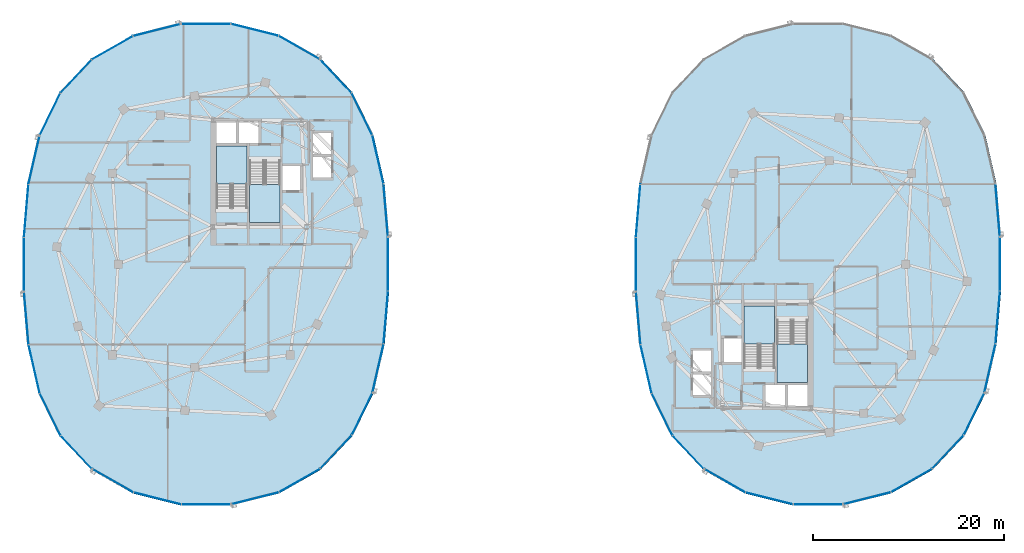
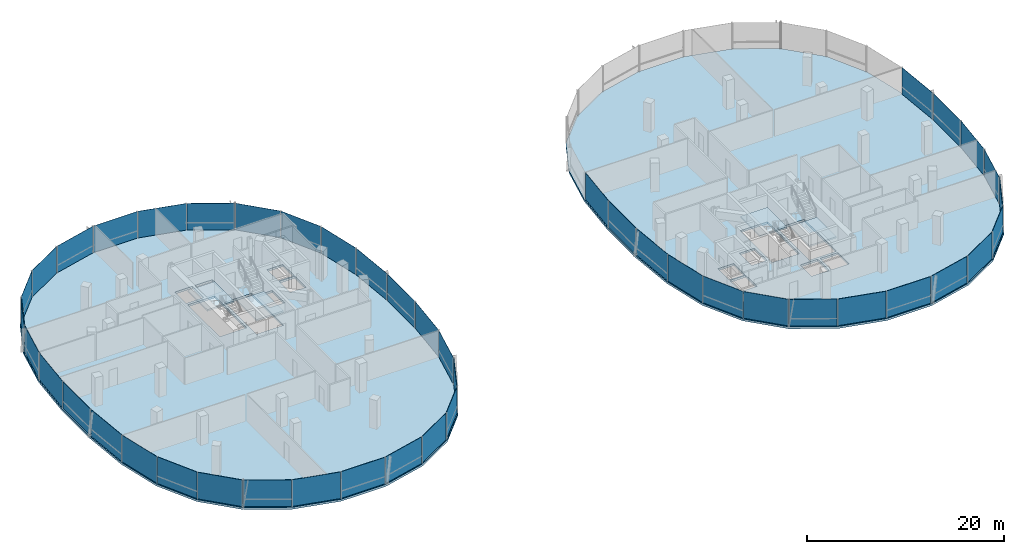
# One storey, part 13 of 25: 45 plates, 6 slabs, 12 elements without a shape of their own.
"""IFC4 building model written with IfcOpenShell, lengths in metres."""

from ifc_helpers import new_model, si_unit, direction, frame, origin, origin_2d, place, context, subcontext, project, spatial, polyline, rectangle, outline, extrude, material, layer, layer_set, type_object, element, aggregate, save


model = new_model("IFC4")

# Units and contexts
model_context = context("Model", 3, precision=1e-05, world=origin(), true_north=direction((0.0, 1.0)))
body_context = subcontext(model_context, "Body", "Model", "MODEL_VIEW")
ifc_project = project(units=[si_unit("LENGTHUNIT", "METRE"), si_unit("AREAUNIT", "SQUARE_METRE"), si_unit("VOLUMEUNIT", "CUBIC_METRE"), si_unit("PLANEANGLEUNIT", "RADIAN"), si_unit("MASSUNIT", "GRAM", prefix="KILO"), si_unit("THERMODYNAMICTEMPERATUREUNIT", "KELVIN"), si_unit("POWERUNIT", "WATT")], contexts=[model_context])

# Site, building, storey
site_placement = place(None, origin())
site = spatial("IfcSite", under=ifc_project, at=site_placement, CompositionType="ELEMENT")
building_placement = place(site_placement, origin())
building = spatial("IfcBuilding", under=site, at=building_placement, Name="Cundina Bronze Exchange", CompositionType="ELEMENT")
storey_placement = place(building_placement, frame((0.0, 0.0, 206.199951171875)))
storey = spatial("IfcBuildingStorey", under=building, at=storey_placement, Name="L54", CompositionType="ELEMENT", Elevation=206.199951171875)

# Curtain wall, plates
ifc_material_1 = material(Name="Anodised Bronze Aluminium 6063-T6", Category="aluminium")
curtain_wall_type = type_object("IfcCurtainWallType", Name="CWS-UPP-OFF", PredefinedType="NOTDEFINED", material=ifc_material_1)
curtain_wall_1_placement = place(storey_placement, origin())
curtain_wall_1 = element("IfcCurtainWall", 1, at=curtain_wall_1_placement, inside=storey, type_object=curtain_wall_type, Name="L54 CW-05 Curtain Wall Run CWR-L54-W1", PredefinedType="NOTDEFINED")
ifc_material_2 = material(Name="Heat-Strengthened Solar-Control Bronze Safety Glass 28mm", Category="glass")
ifc_layer_1 = layer(ifc_material_2, 0.028076171875, Name="Heat-Strengthened Solar-Control Bronze Safety Glass 28mm", Category="glass")
ifc_layer_set_1 = layer_set([ifc_layer_1], Name="Heat-Strengthened Solar-Control Bronze Safety Glass 28mm")
plate_type_1 = type_object("IfcPlateType", Name="PLT-GLZ-VIS28", PredefinedType="CURTAIN_PANEL", material=ifc_layer_set_1)
plate_1_placement = place(storey_placement, frame((-14.01611328125, 10.92578125, 0.02001953125), z_axis=(0.0, 0.0, 1.0), x_axis=(-0.223284141459, 0.974753400698, 0.0)))
plate_1 = element("IfcPlate", 2, at=plate_1_placement, type_object=plate_type_1, Name="CW-05 Glazed Panel 2", PredefinedType="CURTAIN_PANEL", context=body_context, shape_type="SweptSolid", body=[
    extrude(rectangle(XDim=5.167724609375, YDim=0.028076171875, at=origin_2d()), origin(), (0.0, 0.0, 1.0), 3.300048828125),
])
plate_2_placement = place(storey_placement, frame((-15.685302734375, 15.686767578125, 0.02001953125), z_axis=(0.0, 0.0, 1.0), x_axis=(-0.440503330345, 0.897750976582, 0.0)))
plate_2 = element("IfcPlate", 3, at=plate_2_placement, type_object=plate_type_1, Name="CW-05 Glazed Panel 3", PredefinedType="CURTAIN_PANEL", context=body_context, shape_type="SweptSolid", body=[
    extrude(rectangle(XDim=4.863525390625, YDim=0.028076171875, at=origin_2d()), origin(), (0.0, 0.0, 1.0), 3.300048828125),
])
plate_3_placement = place(storey_placement, frame((-18.4208984375, 19.6552734375, 0.02001953125), z_axis=(0.0, 0.0, 1.0), x_axis=(-0.684343512797, 0.72915976061, 0.0)))
plate_3 = element("IfcPlate", 4, at=plate_3_placement, type_object=plate_type_1, Name="CW-05 Glazed Panel 4", PredefinedType="CURTAIN_PANEL", context=body_context, shape_type="SweptSolid", body=[
    extrude(rectangle(XDim=4.773193359375, YDim=0.028076171875, at=origin_2d()), origin(), (0.0, 0.0, 1.0), 3.300048828125),
])
plate_4_placement = place(storey_placement, frame((-22.230712890625, 22.64111328125, 0.02001953125), z_axis=(0.0, 0.0, 1.0), x_axis=(-0.869572506985, 0.493805280547, 0.0)))
plate_4 = element("IfcPlate", 5, at=plate_4_placement, type_object=plate_type_1, Name="CW-05 Glazed Panel 5", PredefinedType="CURTAIN_PANEL", context=body_context, shape_type="SweptSolid", body=[
    extrude(rectangle(XDim=4.907958984375, YDim=0.028076171875, at=origin_2d()), origin(), (0.0, 0.0, 1.0), 3.300048828125),
])
plate_5_placement = place(storey_placement, frame((-32.0, 25.125, 0.02001953125), z_axis=(0.0, 0.0, 1.0), x_axis=(-1.0, 0.0, 0.0)))
plate_5 = element("IfcPlate", 6, at=plate_5_placement, type_object=plate_type_1, Name="CW-05 Glazed Panel 7", PredefinedType="CURTAIN_PANEL", context=body_context, shape_type="SweptSolid", body=[
    extrude(rectangle(XDim=5.16796875, YDim=0.028076171875, at=origin_2d()), origin(), (0.0, 0.0, 1.0), 3.300048828125),
])

curtain_wall_2_placement = place(storey_placement, origin())
curtain_wall_2 = element("IfcCurtainWall", 7, at=curtain_wall_2_placement, inside=storey, type_object=curtain_wall_type, Name="L54 CW-05 Curtain Wall Run CWR-L54-W2", PredefinedType="NOTDEFINED")
plate_6_placement = place(storey_placement, frame((-37.11279296875, 24.49609375, 0.02001953125), z_axis=(0.0, 0.0, 1.0), x_axis=(-0.969731542251, -0.244173577528, 0.0)))
plate_6 = element("IfcPlate", 8, at=plate_6_placement, type_object=plate_type_1, Name="CW-05 Glazed Panel 1", PredefinedType="CURTAIN_PANEL", context=body_context, shape_type="SweptSolid", body=[
    extrude(rectangle(XDim=5.0908203125, YDim=0.028076171875, at=origin_2d()), origin(), (0.0, 0.0, 1.0), 3.300048828125),
])
plate_7_placement = place(storey_placement, frame((-41.769287109375, 22.64111328125, 0.02001953125), z_axis=(0.0, 0.0, 1.0), x_axis=(-0.869572506985, -0.493805280547, 0.0)))
plate_7 = element("IfcPlate", 9, at=plate_7_placement, type_object=plate_type_1, Name="CW-05 Glazed Panel 2", PredefinedType="CURTAIN_PANEL", context=body_context, shape_type="SweptSolid", body=[
    extrude(rectangle(XDim=4.907958984375, YDim=0.028076171875, at=origin_2d()), origin(), (0.0, 0.0, 1.0), 3.300048828125),
])
plate_8_placement = place(storey_placement, frame((-45.5791015625, 19.6552734375, 0.02001953125), z_axis=(0.0, 0.0, 1.0), x_axis=(-0.684343512797, -0.72915976061, 0.0)))
plate_8 = element("IfcPlate", 10, at=plate_8_placement, type_object=plate_type_1, Name="CW-05 Glazed Panel 3", PredefinedType="CURTAIN_PANEL", context=body_context, shape_type="SweptSolid", body=[
    extrude(rectangle(XDim=4.773193359375, YDim=0.028076171875, at=origin_2d()), origin(), (0.0, 0.0, 1.0), 3.300048828125),
])
plate_9_placement = place(storey_placement, frame((-48.314697265625, 15.686767578125, 0.02001953125), z_axis=(0.0, 0.0, 1.0), x_axis=(-0.440503330345, -0.897750976582, 0.0)))
plate_9 = element("IfcPlate", 11, at=plate_9_placement, type_object=plate_type_1, Name="CW-05 Glazed Panel 4", PredefinedType="CURTAIN_PANEL", context=body_context, shape_type="SweptSolid", body=[
    extrude(rectangle(XDim=4.863525390625, YDim=0.028076171875, at=origin_2d()), origin(), (0.0, 0.0, 1.0), 3.300048828125),
])
plate_10_placement = place(storey_placement, frame((-50.801513671875, 5.60693359375, 0.02001953125), z_axis=(0.0, 0.0, 1.0), x_axis=(-0.083747411454, -0.996487015006, 0.0)))
plate_10 = element("IfcPlate", 12, at=plate_10_placement, type_object=plate_type_1, Name="CW-05 Glazed Panel 6", PredefinedType="CURTAIN_PANEL", context=body_context, shape_type="SweptSolid", body=[
    extrude(rectangle(XDim=5.474609375, YDim=0.028076171875, at=origin_2d()), origin(), (0.0, 0.0, 1.0), 3.300048828125),
])
plate_11_placement = place(storey_placement, frame((-51.033935546875, 0.0, 0.02001953125), z_axis=(0.0, 0.0, 1.0), x_axis=(0.0, -1.0, 0.0)))
plate_11 = element("IfcPlate", 13, at=plate_11_placement, type_object=plate_type_1, Name="CW-05 Glazed Panel 7", PredefinedType="CURTAIN_PANEL", context=body_context, shape_type="SweptSolid", body=[
    extrude(rectangle(XDim=5.597900390625, YDim=0.028076171875, at=origin_2d()), origin(), (0.0, 0.0, 1.0), 3.300048828125),
])

curtain_wall_3_placement = place(storey_placement, origin())
curtain_wall_3 = element("IfcCurtainWall", 14, at=curtain_wall_3_placement, inside=storey, type_object=curtain_wall_type, Name="L54 CW-05 Curtain Wall Run CWR-L54-W3", PredefinedType="NOTDEFINED")
plate_12_placement = place(storey_placement, frame((-50.801513671875, -5.60693359375, 0.02001953125), z_axis=(0.0, 0.0, 1.0), x_axis=(0.083747411454, -0.996487015006, 0.0)))
plate_12 = element("IfcPlate", 15, at=plate_12_placement, type_object=plate_type_1, Name="CW-05 Glazed Panel 1", PredefinedType="CURTAIN_PANEL", context=body_context, shape_type="SweptSolid", body=[
    extrude(rectangle(XDim=5.474609375, YDim=0.028076171875, at=origin_2d()), origin(), (0.0, 0.0, 1.0), 3.300048828125),
])
plate_13_placement = place(storey_placement, frame((-49.98388671875, -10.92578125, 0.02001953125), z_axis=(0.0, 0.0, 1.0), x_axis=(0.223284141459, -0.974753400698, 0.0)))
plate_13 = element("IfcPlate", 16, at=plate_13_placement, type_object=plate_type_1, Name="CW-05 Glazed Panel 2", PredefinedType="CURTAIN_PANEL", context=body_context, shape_type="SweptSolid", body=[
    extrude(rectangle(XDim=5.167724609375, YDim=0.028076171875, at=origin_2d()), origin(), (0.0, 0.0, 1.0), 3.300048828125),
])
plate_14_placement = place(storey_placement, frame((-48.314697265625, -15.686767578125, 0.02001953125), z_axis=(0.0, 0.0, 1.0), x_axis=(0.440503330345, -0.897750976582, 0.0)))
plate_14 = element("IfcPlate", 17, at=plate_14_placement, type_object=plate_type_1, Name="CW-05 Glazed Panel 3", PredefinedType="CURTAIN_PANEL", context=body_context, shape_type="SweptSolid", body=[
    extrude(rectangle(XDim=4.863525390625, YDim=0.028076171875, at=origin_2d()), origin(), (0.0, 0.0, 1.0), 3.300048828125),
])
plate_15_placement = place(storey_placement, frame((-41.769287109375, -22.64111328125, 0.02001953125), z_axis=(0.0, 0.0, 1.0), x_axis=(0.869572506985, -0.493805280547, 0.0)))
plate_15 = element("IfcPlate", 18, at=plate_15_placement, type_object=plate_type_1, Name="CW-05 Glazed Panel 5", PredefinedType="CURTAIN_PANEL", context=body_context, shape_type="SweptSolid", body=[
    extrude(rectangle(XDim=4.907958984375, YDim=0.028076171875, at=origin_2d()), origin(), (0.0, 0.0, 1.0), 3.300048828125),
])
plate_16_placement = place(storey_placement, frame((-37.11279296875, -24.49609375, 0.02001953125), z_axis=(0.0, 0.0, 1.0), x_axis=(0.969731542251, -0.244173577528, 0.0)))
plate_16 = element("IfcPlate", 19, at=plate_16_placement, type_object=plate_type_1, Name="CW-05 Glazed Panel 6", PredefinedType="CURTAIN_PANEL", context=body_context, shape_type="SweptSolid", body=[
    extrude(rectangle(XDim=5.0908203125, YDim=0.028076171875, at=origin_2d()), origin(), (0.0, 0.0, 1.0), 3.300048828125),
])
plate_17_placement = place(storey_placement, frame((-32.0, -25.125, 0.02001953125), z_axis=(0.0, 0.0, 1.0), x_axis=(1.0, 0.0, 0.0)))
plate_17 = element("IfcPlate", 20, at=plate_17_placement, type_object=plate_type_1, Name="CW-05 Glazed Panel 7", PredefinedType="CURTAIN_PANEL", context=body_context, shape_type="SweptSolid", body=[
    extrude(rectangle(XDim=5.16796875, YDim=0.028076171875, at=origin_2d()), origin(), (0.0, 0.0, 1.0), 3.300048828125),
])

curtain_wall_4_placement = place(storey_placement, origin())
curtain_wall_4 = element("IfcCurtainWall", 21, at=curtain_wall_4_placement, inside=storey, type_object=curtain_wall_type, Name="L54 CW-05 Curtain Wall Run CWR-L54-W4", PredefinedType="NOTDEFINED")
plate_18_placement = place(storey_placement, frame((-26.88720703125, -24.49609375, 0.02001953125), z_axis=(0.0, 0.0, 1.0), x_axis=(0.969731542251, 0.244173577528, 0.0)))
plate_18 = element("IfcPlate", 22, at=plate_18_placement, type_object=plate_type_1, Name="CW-05 Glazed Panel 1", PredefinedType="CURTAIN_PANEL", context=body_context, shape_type="SweptSolid", body=[
    extrude(rectangle(XDim=5.0908203125, YDim=0.028076171875, at=origin_2d()), origin(), (0.0, 0.0, 1.0), 3.300048828125),
])
plate_19_placement = place(storey_placement, frame((-22.230712890625, -22.64111328125, 0.02001953125), z_axis=(0.0, 0.0, 1.0), x_axis=(0.869572506985, 0.493805280547, 0.0)))
plate_19 = element("IfcPlate", 23, at=plate_19_placement, type_object=plate_type_1, Name="CW-05 Glazed Panel 2", PredefinedType="CURTAIN_PANEL", context=body_context, shape_type="SweptSolid", body=[
    extrude(rectangle(XDim=4.907958984375, YDim=0.028076171875, at=origin_2d()), origin(), (0.0, 0.0, 1.0), 3.300048828125),
])
plate_20_placement = place(storey_placement, frame((-15.685302734375, -15.686767578125, 0.02001953125), z_axis=(0.0, 0.0, 1.0), x_axis=(0.440503330345, 0.897750976582, 0.0)))
plate_20 = element("IfcPlate", 24, at=plate_20_placement, type_object=plate_type_1, Name="CW-05 Glazed Panel 4", PredefinedType="CURTAIN_PANEL", context=body_context, shape_type="SweptSolid", body=[
    extrude(rectangle(XDim=4.863525390625, YDim=0.028076171875, at=origin_2d()), origin(), (0.0, 0.0, 1.0), 3.300048828125),
])
plate_21_placement = place(storey_placement, frame((-14.01611328125, -10.92578125, 0.02001953125), z_axis=(0.0, 0.0, 1.0), x_axis=(0.223284141459, 0.974753400698, 0.0)))
plate_21 = element("IfcPlate", 25, at=plate_21_placement, type_object=plate_type_1, Name="CW-05 Glazed Panel 5", PredefinedType="CURTAIN_PANEL", context=body_context, shape_type="SweptSolid", body=[
    extrude(rectangle(XDim=5.167724609375, YDim=0.028076171875, at=origin_2d()), origin(), (0.0, 0.0, 1.0), 3.300048828125),
])
plate_22_placement = place(storey_placement, frame((-13.198486328125, -5.60693359375, 0.02001953125), z_axis=(0.0, 0.0, 1.0), x_axis=(0.083747411454, 0.996487015006, 0.0)))
plate_22 = element("IfcPlate", 26, at=plate_22_placement, type_object=plate_type_1, Name="CW-05 Glazed Panel 6", PredefinedType="CURTAIN_PANEL", context=body_context, shape_type="SweptSolid", body=[
    extrude(rectangle(XDim=5.474609375, YDim=0.028076171875, at=origin_2d()), origin(), (0.0, 0.0, 1.0), 3.300048828125),
])
plate_23_placement = place(storey_placement, frame((-12.966064453125, 0.0, 0.02001953125), z_axis=(0.0, 0.0, 1.0), x_axis=(0.0, 1.0, 0.0)))
plate_23 = element("IfcPlate", 27, at=plate_23_placement, type_object=plate_type_1, Name="CW-05 Glazed Panel 7", PredefinedType="CURTAIN_PANEL", context=body_context, shape_type="SweptSolid", body=[
    extrude(rectangle(XDim=5.597900390625, YDim=0.028076171875, at=origin_2d()), origin(), (0.0, 0.0, 1.0), 3.300048828125),
])

curtain_wall_5_placement = place(storey_placement, origin())
curtain_wall_5 = element("IfcCurtainWall", 28, at=curtain_wall_5_placement, inside=storey, type_object=curtain_wall_type, Name="L54 CW-05 Curtain Wall Run CWR-L54-E2", PredefinedType="NOTDEFINED")
plate_24_placement = place(storey_placement, frame((13.198486328125, 5.60693359375, 0.02001953125), z_axis=(0.0, 0.0, 1.0), x_axis=(-0.083747411454, -0.996487015006, 0.0)))
plate_24 = element("IfcPlate", 29, at=plate_24_placement, type_object=plate_type_1, Name="CW-05 Glazed Panel 6", PredefinedType="CURTAIN_PANEL", context=body_context, shape_type="SweptSolid", body=[
    extrude(rectangle(XDim=5.474609375, YDim=0.028076171875, at=origin_2d()), origin(), (0.0, 0.0, 1.0), 3.300048828125),
])
plate_25_placement = place(storey_placement, frame((12.966064453125, 0.0, 0.02001953125), z_axis=(0.0, 0.0, 1.0), x_axis=(0.0, -1.0, 0.0)))
plate_25 = element("IfcPlate", 30, at=plate_25_placement, type_object=plate_type_1, Name="CW-05 Glazed Panel 7", PredefinedType="CURTAIN_PANEL", context=body_context, shape_type="SweptSolid", body=[
    extrude(rectangle(XDim=5.597900390625, YDim=0.028076171875, at=origin_2d()), origin(), (0.0, 0.0, 1.0), 3.300048828125),
])
aggregate(curtain_wall_5, [plate_24, plate_25])

curtain_wall_6_placement = place(storey_placement, origin())
curtain_wall_6 = element("IfcCurtainWall", 31, at=curtain_wall_6_placement, inside=storey, type_object=curtain_wall_type, Name="L54 CW-05 Curtain Wall Run CWR-L54-E3", PredefinedType="NOTDEFINED")
plate_26_placement = place(storey_placement, frame((13.198486328125, -5.60693359375, 0.02001953125), z_axis=(0.0, 0.0, 1.0), x_axis=(0.083747411454, -0.996487015006, 0.0)))
plate_26 = element("IfcPlate", 32, at=plate_26_placement, type_object=plate_type_1, Name="CW-05 Glazed Panel 1", PredefinedType="CURTAIN_PANEL", context=body_context, shape_type="SweptSolid", body=[
    extrude(rectangle(XDim=5.474609375, YDim=0.028076171875, at=origin_2d()), origin(), (0.0, 0.0, 1.0), 3.300048828125),
])
plate_27_placement = place(storey_placement, frame((14.01611328125, -10.92578125, 0.02001953125), z_axis=(0.0, 0.0, 1.0), x_axis=(0.223284141459, -0.974753400698, 0.0)))
plate_27 = element("IfcPlate", 33, at=plate_27_placement, type_object=plate_type_1, Name="CW-05 Glazed Panel 2", PredefinedType="CURTAIN_PANEL", context=body_context, shape_type="SweptSolid", body=[
    extrude(rectangle(XDim=5.167724609375, YDim=0.028076171875, at=origin_2d()), origin(), (0.0, 0.0, 1.0), 3.300048828125),
])
plate_28_placement = place(storey_placement, frame((15.685302734375, -15.686767578125, 0.02001953125), z_axis=(0.0, 0.0, 1.0), x_axis=(0.440503330345, -0.897750976582, 0.0)))
plate_28 = element("IfcPlate", 34, at=plate_28_placement, type_object=plate_type_1, Name="CW-05 Glazed Panel 3", PredefinedType="CURTAIN_PANEL", context=body_context, shape_type="SweptSolid", body=[
    extrude(rectangle(XDim=4.863525390625, YDim=0.028076171875, at=origin_2d()), origin(), (0.0, 0.0, 1.0), 3.300048828125),
])
plate_29_placement = place(storey_placement, frame((22.230712890625, -22.64111328125, 0.02001953125), z_axis=(0.0, 0.0, 1.0), x_axis=(0.869572506985, -0.493805280547, 0.0)))
plate_29 = element("IfcPlate", 35, at=plate_29_placement, type_object=plate_type_1, Name="CW-05 Glazed Panel 5", PredefinedType="CURTAIN_PANEL", context=body_context, shape_type="SweptSolid", body=[
    extrude(rectangle(XDim=4.907958984375, YDim=0.028076171875, at=origin_2d()), origin(), (0.0, 0.0, 1.0), 3.300048828125),
])
plate_30_placement = place(storey_placement, frame((26.88720703125, -24.49609375, 0.02001953125), z_axis=(0.0, 0.0, 1.0), x_axis=(0.969731542251, -0.244173577528, 0.0)))
plate_30 = element("IfcPlate", 36, at=plate_30_placement, type_object=plate_type_1, Name="CW-05 Glazed Panel 6", PredefinedType="CURTAIN_PANEL", context=body_context, shape_type="SweptSolid", body=[
    extrude(rectangle(XDim=5.0908203125, YDim=0.028076171875, at=origin_2d()), origin(), (0.0, 0.0, 1.0), 3.300048828125),
])
plate_31_placement = place(storey_placement, frame((32.0, -25.125, 0.02001953125), z_axis=(0.0, 0.0, 1.0), x_axis=(1.0, 0.0, 0.0)))
plate_31 = element("IfcPlate", 37, at=plate_31_placement, type_object=plate_type_1, Name="CW-05 Glazed Panel 7", PredefinedType="CURTAIN_PANEL", context=body_context, shape_type="SweptSolid", body=[
    extrude(rectangle(XDim=5.16796875, YDim=0.028076171875, at=origin_2d()), origin(), (0.0, 0.0, 1.0), 3.300048828125),
])

curtain_wall_7_placement = place(storey_placement, origin())
curtain_wall_7 = element("IfcCurtainWall", 38, at=curtain_wall_7_placement, inside=storey, type_object=curtain_wall_type, Name="L54 CW-05 Curtain Wall Run CWR-L54-E4", PredefinedType="NOTDEFINED")
plate_32_placement = place(storey_placement, frame((37.11279296875, -24.49609375, 0.02001953125), z_axis=(0.0, 0.0, 1.0), x_axis=(0.969731542251, 0.244173577528, 0.0)))
plate_32 = element("IfcPlate", 39, at=plate_32_placement, type_object=plate_type_1, Name="CW-05 Glazed Panel 1", PredefinedType="CURTAIN_PANEL", context=body_context, shape_type="SweptSolid", body=[
    extrude(rectangle(XDim=5.0908203125, YDim=0.028076171875, at=origin_2d()), origin(), (0.0, 0.0, 1.0), 3.300048828125),
])
plate_33_placement = place(storey_placement, frame((41.769287109375, -22.64111328125, 0.02001953125), z_axis=(0.0, 0.0, 1.0), x_axis=(0.869572506985, 0.493805280547, 0.0)))
plate_33 = element("IfcPlate", 40, at=plate_33_placement, type_object=plate_type_1, Name="CW-05 Glazed Panel 2", PredefinedType="CURTAIN_PANEL", context=body_context, shape_type="SweptSolid", body=[
    extrude(rectangle(XDim=4.907958984375, YDim=0.028076171875, at=origin_2d()), origin(), (0.0, 0.0, 1.0), 3.300048828125),
])
plate_34_placement = place(storey_placement, frame((48.314697265625, -15.686767578125, 0.02001953125), z_axis=(0.0, 0.0, 1.0), x_axis=(0.440503330345, 0.897750976582, 0.0)))
plate_34 = element("IfcPlate", 41, at=plate_34_placement, type_object=plate_type_1, Name="CW-05 Glazed Panel 4", PredefinedType="CURTAIN_PANEL", context=body_context, shape_type="SweptSolid", body=[
    extrude(rectangle(XDim=4.863525390625, YDim=0.028076171875, at=origin_2d()), origin(), (0.0, 0.0, 1.0), 3.300048828125),
])
plate_35_placement = place(storey_placement, frame((49.98388671875, -10.92578125, 0.02001953125), z_axis=(0.0, 0.0, 1.0), x_axis=(0.223284141459, 0.974753400698, 0.0)))
plate_35 = element("IfcPlate", 42, at=plate_35_placement, type_object=plate_type_1, Name="CW-05 Glazed Panel 5", PredefinedType="CURTAIN_PANEL", context=body_context, shape_type="SweptSolid", body=[
    extrude(rectangle(XDim=5.167724609375, YDim=0.028076171875, at=origin_2d()), origin(), (0.0, 0.0, 1.0), 3.300048828125),
])
plate_36_placement = place(storey_placement, frame((50.801513671875, -5.60693359375, 0.02001953125), z_axis=(0.0, 0.0, 1.0), x_axis=(0.083747411454, 0.996487015006, 0.0)))
plate_36 = element("IfcPlate", 43, at=plate_36_placement, type_object=plate_type_1, Name="CW-05 Glazed Panel 6", PredefinedType="CURTAIN_PANEL", context=body_context, shape_type="SweptSolid", body=[
    extrude(rectangle(XDim=5.474609375, YDim=0.028076171875, at=origin_2d()), origin(), (0.0, 0.0, 1.0), 3.300048828125),
])
plate_37_placement = place(storey_placement, frame((51.033935546875, 0.0, 0.02001953125), z_axis=(0.0, 0.0, 1.0), x_axis=(0.0, 1.0, 0.0)))
plate_37 = element("IfcPlate", 44, at=plate_37_placement, type_object=plate_type_1, Name="CW-05 Glazed Panel 7", PredefinedType="CURTAIN_PANEL", context=body_context, shape_type="SweptSolid", body=[
    extrude(rectangle(XDim=5.597900390625, YDim=0.028076171875, at=origin_2d()), origin(), (0.0, 0.0, 1.0), 3.300048828125),
])

# Plate
ifc_material_3 = material(Name="Dark Bronze Spandrel Glass Panel 32mm", Category="glass")
ifc_layer_2 = layer(ifc_material_3, 0.031982421875, Name="Dark Bronze Spandrel Glass Panel 32mm", Category="glass")
ifc_layer_set_2 = layer_set([ifc_layer_2], Name="Dark Bronze Spandrel Glass Panel 32mm")
plate_type_2 = type_object("IfcPlateType", Name="PLT-SPN-BRZ32", PredefinedType="CURTAIN_PANEL", material=ifc_layer_set_2)
plate_38_placement = place(storey_placement, frame((-13.198486328125, 5.60693359375, 0.02001953125), z_axis=(0.0, 0.0, 1.0), x_axis=(-0.083747411454, 0.996487015006, 0.0)))
plate_38 = element("IfcPlate", 45, at=plate_38_placement, type_object=plate_type_2, Name="CW-05 Glazed Panel 1", PredefinedType="CURTAIN_PANEL", context=body_context, shape_type="SweptSolid", body=[
    extrude(rectangle(XDim=5.474609375, YDim=0.031982421875, at=origin_2d()), origin(), (0.0, 0.0, 1.0), 3.300048828125),
])

plate_39_placement = place(storey_placement, frame((-26.88720703125, 24.49609375, 0.02001953125), z_axis=(0.0, 0.0, 1.0), x_axis=(-0.969731542251, 0.244173577528, 0.0)))
plate_39 = element("IfcPlate", 46, at=plate_39_placement, type_object=plate_type_2, Name="CW-05 Glazed Panel 6", PredefinedType="CURTAIN_PANEL", context=body_context, shape_type="SweptSolid", body=[
    extrude(rectangle(XDim=5.0908203125, YDim=0.031982421875, at=origin_2d()), origin(), (0.0, 0.0, 1.0), 3.300048828125),
])

aggregate(curtain_wall_1, [plate_38, plate_1, plate_2, plate_3, plate_4, plate_39, plate_5])

plate_40_placement = place(storey_placement, frame((-49.98388671875, 10.92578125, 0.02001953125), z_axis=(0.0, 0.0, 1.0), x_axis=(-0.223284141459, -0.974753400698, 0.0)))
plate_40 = element("IfcPlate", 47, at=plate_40_placement, type_object=plate_type_2, Name="CW-05 Glazed Panel 5", PredefinedType="CURTAIN_PANEL", context=body_context, shape_type="SweptSolid", body=[
    extrude(rectangle(XDim=5.167724609375, YDim=0.031982421875, at=origin_2d()), origin(), (0.0, 0.0, 1.0), 3.300048828125),
])

aggregate(curtain_wall_2, [plate_6, plate_7, plate_8, plate_9, plate_40, plate_10, plate_11])

plate_41_placement = place(storey_placement, frame((-45.5791015625, -19.6552734375, 0.02001953125), z_axis=(0.0, 0.0, 1.0), x_axis=(0.684343512797, -0.72915976061, 0.0)))
plate_41 = element("IfcPlate", 48, at=plate_41_placement, type_object=plate_type_2, Name="CW-05 Glazed Panel 4", PredefinedType="CURTAIN_PANEL", context=body_context, shape_type="SweptSolid", body=[
    extrude(rectangle(XDim=4.773193359375, YDim=0.031982421875, at=origin_2d()), origin(), (0.0, 0.0, 1.0), 3.300048828125),
])

aggregate(curtain_wall_3, [plate_12, plate_13, plate_14, plate_41, plate_15, plate_16, plate_17])

plate_42_placement = place(storey_placement, frame((-18.4208984375, -19.6552734375, 0.02001953125), z_axis=(0.0, 0.0, 1.0), x_axis=(0.684343512797, 0.72915976061, 0.0)))
plate_42 = element("IfcPlate", 49, at=plate_42_placement, type_object=plate_type_2, Name="CW-05 Glazed Panel 3", PredefinedType="CURTAIN_PANEL", context=body_context, shape_type="SweptSolid", body=[
    extrude(rectangle(XDim=4.773193359375, YDim=0.031982421875, at=origin_2d()), origin(), (0.0, 0.0, 1.0), 3.300048828125),
])

aggregate(curtain_wall_4, [plate_18, plate_19, plate_42, plate_20, plate_21, plate_22, plate_23])

# Curtain wall, plate
curtain_wall_8_placement = place(storey_placement, origin())
curtain_wall_8 = element("IfcCurtainWall", 50, at=curtain_wall_8_placement, inside=storey, type_object=curtain_wall_type, Name="L54 CW-05 Curtain Wall Run CWR-L54-E1", PredefinedType="NOTDEFINED")
plate_43_placement = place(storey_placement, frame((50.801513671875, 5.60693359375, 0.02001953125), z_axis=(0.0, 0.0, 1.0), x_axis=(-0.083747411454, 0.996487015006, 0.0)))
plate_43 = element("IfcPlate", 51, at=plate_43_placement, type_object=plate_type_2, Name="CW-05 Glazed Panel 1", PredefinedType="CURTAIN_PANEL", context=body_context, shape_type="SweptSolid", body=[
    extrude(rectangle(XDim=5.474609375, YDim=0.031982421875, at=origin_2d()), origin(), (0.0, 0.0, 1.0), 3.300048828125),
])
aggregate(curtain_wall_8, [plate_43])

# Plate
plate_44_placement = place(storey_placement, frame((18.4208984375, -19.6552734375, 0.02001953125), z_axis=(0.0, 0.0, 1.0), x_axis=(0.684343512797, -0.72915976061, 0.0)))
plate_44 = element("IfcPlate", 52, at=plate_44_placement, type_object=plate_type_2, Name="CW-05 Glazed Panel 4", PredefinedType="CURTAIN_PANEL", context=body_context, shape_type="SweptSolid", body=[
    extrude(rectangle(XDim=4.773193359375, YDim=0.031982421875, at=origin_2d()), origin(), (0.0, 0.0, 1.0), 3.300048828125),
])

aggregate(curtain_wall_6, [plate_26, plate_27, plate_28, plate_44, plate_29, plate_30, plate_31])

plate_45_placement = place(storey_placement, frame((45.5791015625, -19.6552734375, 0.02001953125), z_axis=(0.0, 0.0, 1.0), x_axis=(0.684343512797, 0.72915976061, 0.0)))
plate_45 = element("IfcPlate", 53, at=plate_45_placement, type_object=plate_type_2, Name="CW-05 Glazed Panel 3", PredefinedType="CURTAIN_PANEL", context=body_context, shape_type="SweptSolid", body=[
    extrude(rectangle(XDim=4.773193359375, YDim=0.031982421875, at=origin_2d()), origin(), (0.0, 0.0, 1.0), 3.300048828125),
])

aggregate(curtain_wall_7, [plate_32, plate_33, plate_45, plate_34, plate_35, plate_36, plate_37])

# Stair, slab
ifc_material_4 = material(Name="Concrete C40/50", Category="concrete")
stair_type = type_object("IfcStairType", Name="STR-OFF-360", PredefinedType="HALF_TURN_STAIR", material=ifc_material_4)
stair_1_placement = place(storey_placement, origin())
stair_1 = element("IfcStair", 54, at=stair_1_placement, inside=storey, type_object=stair_type, Name="L54 Smokeproof Exit Stair W1", PredefinedType="HALF_TURN_STAIR")
ifc_layer_3 = layer(ifc_material_4, 0.199951171875, Name="Concrete C40/50", Category="concrete")
ifc_layer_set_3 = layer_set([ifc_layer_3], Name="Concrete C40/50")
slab_type_1 = type_object("IfcSlabType", Name="SLB-LND-200", PredefinedType="LANDING", material=ifc_layer_set_3)
slab_1_placement = place(storey_placement, frame((0.0, 0.0, 1.60009765625)))
slab_1 = element("IfcSlab", 55, at=slab_1_placement, type_object=slab_type_1, Name="ST-W1 landing 1", PredefinedType="LANDING", context=body_context, shape_type="SweptSolid", body=[
    extrude(outline(polyline([(-27.739990234375, 8.3701171875), (-27.739990234375, 12.35009765625), (-30.89990234375, 12.35009765625), (-30.89990234375, 8.3701171875), (-27.739990234375, 8.3701171875)])), origin(), (0.0, 0.0, 1.0), 0.199951171875),
])
aggregate(stair_1, [slab_1])

stair_2_placement = place(storey_placement, origin())
stair_2 = element("IfcStair", 56, at=stair_2_placement, inside=storey, type_object=stair_type, Name="L54 Smokeproof Exit Stair W2", PredefinedType="HALF_TURN_STAIR")
slab_2_placement = place(storey_placement, frame((0.0, 0.0, 1.60009765625)))
slab_2 = element("IfcSlab", 57, at=slab_2_placement, type_object=slab_type_1, Name="ST-W2 landing 1", PredefinedType="LANDING", context=body_context, shape_type="SweptSolid", body=[
    extrude(outline(polyline([(-27.43994140625, 8.330078125), (-27.43994140625, 4.35009765625), (-24.280029296875, 4.35009765625), (-24.280029296875, 8.330078125), (-27.43994140625, 8.330078125)])), origin(), (0.0, 0.0, 1.0), 0.199951171875),
])
aggregate(stair_2, [slab_2])

stair_3_placement = place(storey_placement, origin())
stair_3 = element("IfcStair", 58, at=stair_3_placement, inside=storey, type_object=stair_type, Name="L54 Smokeproof Exit Stair E1", PredefinedType="HALF_TURN_STAIR")
slab_3_placement = place(storey_placement, frame((0.0, 0.0, 1.60009765625)))
slab_3 = element("IfcSlab", 59, at=slab_3_placement, type_object=slab_type_1, Name="ST-E1 landing 1", PredefinedType="LANDING", context=body_context, shape_type="SweptSolid", body=[
    extrude(outline(polyline([(27.739990234375, -8.3701171875), (27.739990234375, -12.35009765625), (30.89990234375, -12.35009765625), (30.89990234375, -8.3701171875), (27.739990234375, -8.3701171875)])), origin(), (0.0, 0.0, 1.0), 0.199951171875),
])
aggregate(stair_3, [slab_3])

stair_4_placement = place(storey_placement, origin())
stair_4 = element("IfcStair", 60, at=stair_4_placement, inside=storey, type_object=stair_type, Name="L54 Smokeproof Exit Stair E2", PredefinedType="HALF_TURN_STAIR")
slab_4_placement = place(storey_placement, frame((0.0, 0.0, 1.60009765625)))
slab_4 = element("IfcSlab", 61, at=slab_4_placement, type_object=slab_type_1, Name="ST-E2 landing 1", PredefinedType="LANDING", context=body_context, shape_type="SweptSolid", body=[
    extrude(outline(polyline([(27.43994140625, -8.330078125), (27.43994140625, -4.35009765625), (24.280029296875, -4.35009765625), (24.280029296875, -8.330078125), (27.43994140625, -8.330078125)])), origin(), (0.0, 0.0, 1.0), 0.199951171875),
])
aggregate(stair_4, [slab_4])

# Slabs
ifc_material_5 = material(Name="Concrete C50/60", Category="concrete")
ifc_layer_4 = layer(ifc_material_5, 0.260009765625, Name="Concrete C50/60", Category="concrete")
ifc_layer_set_4 = layer_set([ifc_layer_4], Name="Concrete C50/60")
slab_type_2 = type_object("IfcSlabType", Name="SLB-OFF-260", PredefinedType="FLOOR", material=ifc_layer_set_4)
slab_5_placement = place(storey_placement, frame((0.0, 0.0, -0.260009765625)))
element("IfcSlab", 62, at=slab_5_placement, inside=storey, type_object=slab_type_2, Name="L54 Leg W Structural Floor Slab", PredefinedType="FLOOR", context=body_context, shape_type="SweptSolid", body=[
    extrude(outline(polyline([(-12.85107421875, 2.843994140625), (-13.31689453125, 8.388916015625), (-14.490966796875, 13.513916015625), (-16.673095703125, 17.9609375), (-20.0009765625, 21.507080078125), (-24.346923828125, 23.97509765625), (-29.37109375, 25.239990234375), (-34.62890625, 25.239990234375), (-39.653076171875, 23.97509765625), (-43.9990234375, 21.507080078125), (-47.326904296875, 17.9609375), (-49.509033203125, 13.513916015625), (-50.68310546875, 8.388916015625), (-51.14892578125, 2.843994140625), (-51.14892578125, -2.843994140625), (-50.68310546875, -8.388916015625), (-49.509033203125, -13.513916015625), (-47.326904296875, -17.9609375), (-43.9990234375, -21.507080078125), (-39.653076171875, -23.97509765625), (-34.62890625, -25.239990234375), (-29.37109375, -25.239990234375), (-24.346923828125, -23.97509765625), (-20.0009765625, -21.507080078125), (-16.673095703125, -17.9609375), (-14.490966796875, -13.513916015625), (-13.31689453125, -8.388916015625), (-12.85107421875, -2.843994140625), (-12.85107421875, 2.843994140625)]), holes=[polyline([(-27.739990234375, 5.85009765625), (-27.739990234375, 12.35009765625), (-30.89990234375, 12.35009765625), (-30.89990234375, 5.85009765625), (-27.739990234375, 5.85009765625)]), polyline([(-27.43994140625, 10.85009765625), (-27.43994140625, 4.35009765625), (-24.280029296875, 4.35009765625), (-24.280029296875, 10.85009765625), (-27.43994140625, 10.85009765625)]), polyline([(-23.97998046875, 10.25), (-22.179931640625, 10.25), (-22.179931640625, 7.75), (-23.97998046875, 7.75), (-23.97998046875, 10.25)]), polyline([(-30.89990234375, 14.949951171875), (-28.85009765625, 14.949951171875), (-28.85009765625, 12.64990234375), (-30.89990234375, 12.64990234375), (-30.89990234375, 14.949951171875)]), polyline([(-28.550048828125, 14.949951171875), (-26.5, 14.949951171875), (-26.5, 12.64990234375), (-28.550048828125, 12.64990234375), (-28.550048828125, 14.949951171875)]), polyline([(-20.800048828125, 13.699951171875), (-18.949951171875, 13.699951171875), (-18.949951171875, 11.449951171875), (-20.800048828125, 11.449951171875), (-20.800048828125, 13.699951171875)]), polyline([(-20.800048828125, 11.300048828125), (-18.949951171875, 11.300048828125), (-18.949951171875, 9.050048828125), (-20.800048828125, 9.050048828125), (-20.800048828125, 11.300048828125)])]), origin(), (0.0, 0.0, 1.0), 0.260009765625),
])
slab_6_placement = place(storey_placement, frame((0.0, 0.0, -0.260009765625)))
element("IfcSlab", 63, at=slab_6_placement, inside=storey, type_object=slab_type_2, Name="L54 Leg E Structural Floor Slab", PredefinedType="FLOOR", context=body_context, shape_type="SweptSolid", body=[
    extrude(outline(polyline([(51.14892578125, 2.843994140625), (50.68310546875, 8.388916015625), (49.509033203125, 13.513916015625), (47.326904296875, 17.9609375), (43.9990234375, 21.507080078125), (39.653076171875, 23.97509765625), (34.62890625, 25.239990234375), (29.37109375, 25.239990234375), (24.346923828125, 23.97509765625), (20.0009765625, 21.507080078125), (16.673095703125, 17.9609375), (14.490966796875, 13.513916015625), (13.31689453125, 8.388916015625), (12.85107421875, 2.843994140625), (12.85107421875, -2.843994140625), (13.31689453125, -8.388916015625), (14.490966796875, -13.513916015625), (16.673095703125, -17.9609375), (20.0009765625, -21.507080078125), (24.346923828125, -23.97509765625), (29.37109375, -25.239990234375), (34.62890625, -25.239990234375), (39.653076171875, -23.97509765625), (43.9990234375, -21.507080078125), (47.326904296875, -17.9609375), (49.509033203125, -13.513916015625), (50.68310546875, -8.388916015625), (51.14892578125, -2.843994140625), (51.14892578125, 2.843994140625)]), holes=[polyline([(27.739990234375, -5.85009765625), (27.739990234375, -12.35009765625), (30.89990234375, -12.35009765625), (30.89990234375, -5.85009765625), (27.739990234375, -5.85009765625)]), polyline([(27.43994140625, -10.85009765625), (27.43994140625, -4.35009765625), (24.280029296875, -4.35009765625), (24.280029296875, -10.85009765625), (27.43994140625, -10.85009765625)]), polyline([(22.179931640625, -7.75), (23.97998046875, -7.75), (23.97998046875, -10.25), (22.179931640625, -10.25), (22.179931640625, -7.75)]), polyline([(28.85009765625, -12.64990234375), (30.89990234375, -12.64990234375), (30.89990234375, -14.949951171875), (28.85009765625, -14.949951171875), (28.85009765625, -12.64990234375)]), polyline([(26.5, -12.64990234375), (28.550048828125, -12.64990234375), (28.550048828125, -14.949951171875), (26.5, -14.949951171875), (26.5, -12.64990234375)]), polyline([(18.949951171875, -11.449951171875), (20.800048828125, -11.449951171875), (20.800048828125, -13.699951171875), (18.949951171875, -13.699951171875), (18.949951171875, -11.449951171875)]), polyline([(18.949951171875, -9.050048828125), (20.800048828125, -9.050048828125), (20.800048828125, -11.300048828125), (18.949951171875, -11.300048828125), (18.949951171875, -9.050048828125)])]), origin(), (0.0, 0.0, 1.0), 0.260009765625),
])

save(model, "model.ifc")
